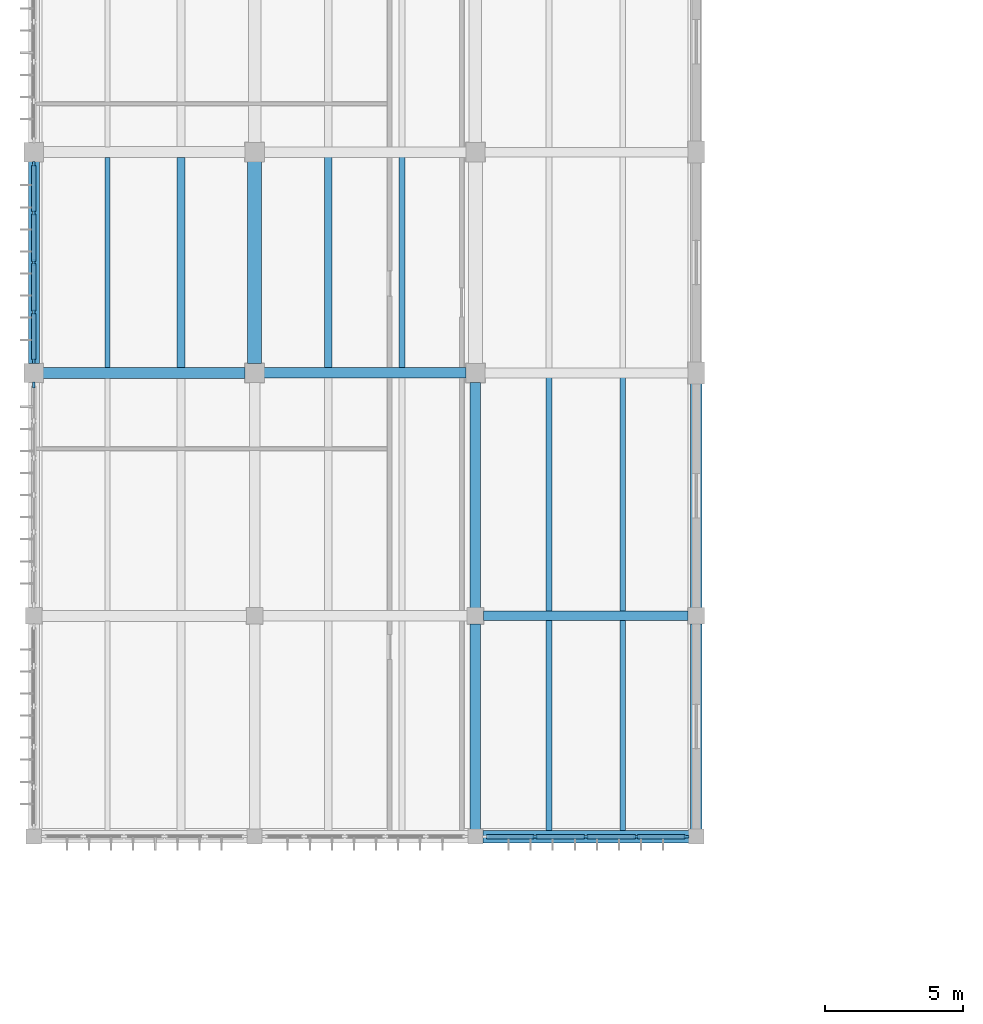
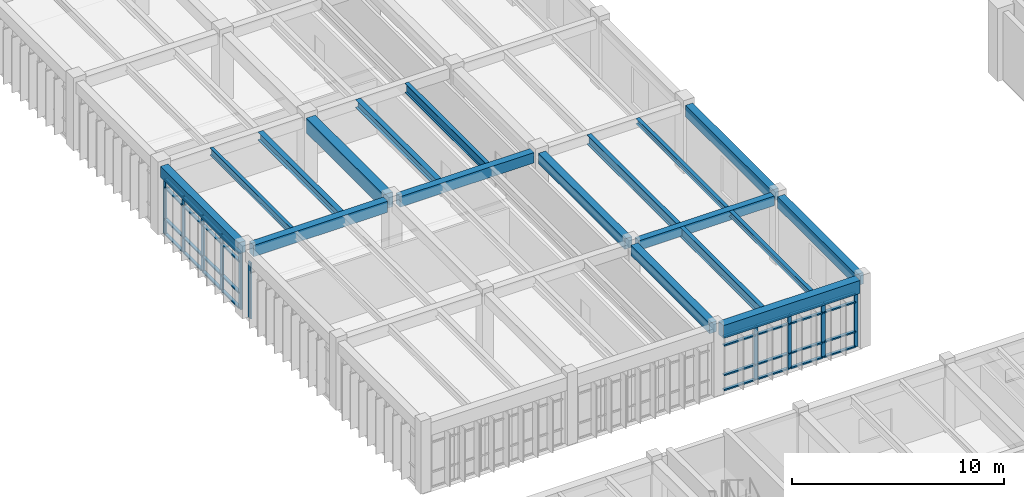
# One storey, part 9 of 67: 42 members, 18 beams, 3 elements without a shape of their own.
"""IFC4 building model written with IfcOpenShell, lengths in metres."""

from ifc_helpers import new_model, si_unit, direction, frame, origin, origin_2d, place, context, subcontext, project, spatial, rectangle, i_section, extrude, material, material_profile, profile_set, type_object, element, aggregate, save


model = new_model("IFC4")

# Units and contexts
model_context = context("Model", 3, precision=1e-05, world=origin(), true_north=direction((0.0, 1.0)))
body_context = subcontext(model_context, "Body", "Model", "MODEL_VIEW")
ifc_project = project(units=[si_unit("LENGTHUNIT", "METRE"), si_unit("AREAUNIT", "SQUARE_METRE"), si_unit("VOLUMEUNIT", "CUBIC_METRE"), si_unit("PLANEANGLEUNIT", "RADIAN"), si_unit("MASSUNIT", "GRAM", prefix="KILO")], contexts=[model_context])

# Site, building, storey
site_placement = place(None, origin())
site = spatial("IfcSite", under=ifc_project, at=site_placement, CompositionType="ELEMENT")
building_placement = place(site_placement, origin())
building = spatial("IfcBuilding", under=site, at=building_placement, Name="Tlaxcora Railside Police Headquarters", CompositionType="ELEMENT")
storey_placement = place(building_placement, frame((0.0, 0.0, 4.800048828125)))
storey = spatial("IfcBuildingStorey", under=building, at=storey_placement, Name="L01", CompositionType="ELEMENT", Elevation=4.800048828125)

# Curtain wall, member
ifc_material_1 = material(Name="Thermally broken low-E insulated glazing", Category="glass")
curtain_wall_type_1 = type_object("IfcCurtainWallType", Name="Unitised Curtain Wall Assembly CW-23", PredefinedType="NOTDEFINED", material=ifc_material_1)
curtain_wall_1_placement = place(storey_placement, origin())
curtain_wall_1 = element("IfcCurtainWall", 1, at=curtain_wall_1_placement, inside=storey, type_object=curtain_wall_type_1, Name="V5 L01 curtain wall 48", PredefinedType="NOTDEFINED")
ifc_material_2 = material(Name="Anodised aluminium framing", Category="aluminium")
ifc_material_profile_1 = material_profile(ifc_material_2, rectangle(XDim=0.080078125, YDim=0.219970703125, at=origin_2d()), Name="AL80X220")
ifc_profile_set_1 = profile_set([ifc_material_profile_1], Name="Anodised aluminium framing")
member_type_1 = type_object("IfcMemberType", Name="Curtain Wall Mullion CW-31", PredefinedType="MULLION", material=ifc_profile_set_1)
member_1_placement = place(storey_placement, frame((5.199951171875, 60.360107421875, 0.0), z_axis=(0.0, 0.0, 1.0), x_axis=(1.0, 0.0, 0.0)))
member_1 = element("IfcMember", 2, at=member_1_placement, type_object=member_type_1, Name="CW mullion 1", PredefinedType="MULLION", context=body_context, shape_type="SweptSolid", body=[
    extrude(rectangle(XDim=0.080078125, YDim=0.219970703125, at=origin_2d()), origin(), (0.0, 0.0, 1.0), 3.239990234375),
])
aggregate(curtain_wall_1, [member_1])

# Curtain wall, members
curtain_wall_type_2 = type_object("IfcCurtainWallType", Name="Unitised Curtain Wall Assembly CW-83", PredefinedType="NOTDEFINED", material=ifc_material_1)
curtain_wall_2_placement = place(storey_placement, origin())
curtain_wall_2 = element("IfcCurtainWall", 3, at=curtain_wall_2_placement, inside=storey, type_object=curtain_wall_type_2, Name="V5 L01 curtain wall 31", PredefinedType="NOTDEFINED")
ifc_material_profile_2 = material_profile(ifc_material_2, rectangle(XDim=0.080078125, YDim=0.2099609375, at=origin_2d()), Name="AL80X210")
ifc_profile_set_2 = profile_set([ifc_material_profile_2], Name="Anodised aluminium framing")
member_type_2 = type_object("IfcMemberType", Name="Curtain Wall Mullion CW-76", PredefinedType="MULLION", material=ifc_profile_set_2)
member_2_placement = place(storey_placement, frame((23.362548828125, 44.0, 0.0), z_axis=(0.0, 0.0, 1.0), x_axis=(0.0, 1.0, 0.0)))
member_2 = element("IfcMember", 4, at=member_2_placement, type_object=member_type_2, Name="CW mullion 2", PredefinedType="MULLION", context=body_context, shape_type="SweptSolid", body=[
    extrude(rectangle(XDim=0.080078125, YDim=0.2099609375, at=origin_2d()), origin(), (0.0, 0.0, 1.0), 3.139892578125),
])
member_3_placement = place(storey_placement, frame((25.199951171875, 44.0, 0.0), z_axis=(0.0, 0.0, 1.0), x_axis=(0.0, 1.0, 0.0)))
member_3 = element("IfcMember", 5, at=member_3_placement, type_object=member_type_2, Name="CW mullion 3", PredefinedType="MULLION", context=body_context, shape_type="SweptSolid", body=[
    extrude(rectangle(XDim=0.080078125, YDim=0.2099609375, at=origin_2d()), origin(), (0.0, 0.0, 1.0), 3.139892578125),
])
member_4_placement = place(storey_placement, frame((27.03759765625, 44.0, 0.0), z_axis=(0.0, 0.0, 1.0), x_axis=(0.0, 1.0, 0.0)))
member_4 = element("IfcMember", 6, at=member_4_placement, type_object=member_type_2, Name="CW mullion 4", PredefinedType="MULLION", context=body_context, shape_type="SweptSolid", body=[
    extrude(rectangle(XDim=0.080078125, YDim=0.2099609375, at=origin_2d()), origin(), (0.0, 0.0, 1.0), 3.139892578125),
])
member_5_placement = place(storey_placement, frame((28.8349609375, 44.0, 0.0), z_axis=(0.0, 0.0, 1.0), x_axis=(0.0, 1.0, 0.0)))
member_5 = element("IfcMember", 7, at=member_5_placement, type_object=member_type_2, Name="CW mullion 5", PredefinedType="MULLION", context=body_context, shape_type="SweptSolid", body=[
    extrude(rectangle(XDim=0.080078125, YDim=0.2099609375, at=origin_2d()), origin(), (0.0, 0.0, 1.0), 3.139892578125),
])

curtain_wall_3_placement = place(storey_placement, origin())
curtain_wall_3 = element("IfcCurtainWall", 8, at=curtain_wall_3_placement, inside=storey, type_object=curtain_wall_type_2, Name="V5 L01 curtain wall 47", PredefinedType="NOTDEFINED")
member_6_placement = place(storey_placement, frame((5.199951171875, 68.360107421875, 0.0), z_axis=(0.0, 0.0, 1.0), x_axis=(1.0, 0.0, 0.0)))
member_6 = element("IfcMember", 9, at=member_6_placement, type_object=member_type_2, Name="CW mullion 1", PredefinedType="MULLION", context=body_context, shape_type="SweptSolid", body=[
    extrude(rectangle(XDim=0.080078125, YDim=0.2099609375, at=origin_2d()), origin(), (0.0, 0.0, 1.0), 3.239990234375),
])
member_7_placement = place(storey_placement, frame((5.199951171875, 66.60009765625, 0.0), z_axis=(0.0, 0.0, 1.0), x_axis=(1.0, 0.0, 0.0)))
member_7 = element("IfcMember", 10, at=member_7_placement, type_object=member_type_2, Name="CW mullion 2", PredefinedType="MULLION", context=body_context, shape_type="SweptSolid", body=[
    extrude(rectangle(XDim=0.080078125, YDim=0.2099609375, at=origin_2d()), origin(), (0.0, 0.0, 1.0), 3.239990234375),
])
member_8_placement = place(storey_placement, frame((5.199951171875, 64.800048828125, 0.0), z_axis=(0.0, 0.0, 1.0), x_axis=(1.0, 0.0, 0.0)))
member_8 = element("IfcMember", 11, at=member_8_placement, type_object=member_type_2, Name="CW mullion 3", PredefinedType="MULLION", context=body_context, shape_type="SweptSolid", body=[
    extrude(rectangle(XDim=0.080078125, YDim=0.2099609375, at=origin_2d()), origin(), (0.0, 0.0, 1.0), 3.239990234375),
])
member_9_placement = place(storey_placement, frame((5.199951171875, 63.0, 0.0), z_axis=(0.0, 0.0, 1.0), x_axis=(1.0, 0.0, 0.0)))
member_9 = element("IfcMember", 12, at=member_9_placement, type_object=member_type_2, Name="CW mullion 4", PredefinedType="MULLION", context=body_context, shape_type="SweptSolid", body=[
    extrude(rectangle(XDim=0.080078125, YDim=0.2099609375, at=origin_2d()), origin(), (0.0, 0.0, 1.0), 3.239990234375),
])
member_10_placement = place(storey_placement, frame((5.199951171875, 61.239990234375, 0.0), z_axis=(0.0, 0.0, 1.0), x_axis=(1.0, 0.0, 0.0)))
member_10 = element("IfcMember", 13, at=member_10_placement, type_object=member_type_2, Name="CW mullion 5", PredefinedType="MULLION", context=body_context, shape_type="SweptSolid", body=[
    extrude(rectangle(XDim=0.080078125, YDim=0.2099609375, at=origin_2d()), origin(), (0.0, 0.0, 1.0), 3.239990234375),
])

# Member
ifc_material_profile_3 = material_profile(ifc_material_2, rectangle(XDim=0.159912109375, YDim=0.080078125, at=origin_2d()), Name="AL80X160")
ifc_profile_set_3 = profile_set([ifc_material_profile_3], Name="Anodised aluminium framing")
member_type_3 = type_object("IfcMemberType", Name="Curtain Wall Transom CW-82", PredefinedType="USERDEFINED", material=ifc_profile_set_3)
member_11_placement = place(storey_placement, frame((21.60498046875, 44.0, 0.0400390625), z_axis=(1.0, 0.0, 0.0), x_axis=(0.0, 1.0, 0.0)))
member_11 = element("IfcMember", 14, at=member_11_placement, type_object=member_type_3, Name="CW transom 1.1", ObjectType="TRANSOM", PredefinedType="USERDEFINED", context=body_context, shape_type="SweptSolid", body=[
    extrude(rectangle(XDim=0.159912109375, YDim=0.080078125, at=origin_2d()), origin(), (0.0, 0.0, 1.0), 1.717529296875),
])

member_12_placement = place(storey_placement, frame((21.60498046875, 44.0, 0.89990234375), z_axis=(1.0, 0.0, 0.0), x_axis=(0.0, 1.0, 0.0)))
member_12 = element("IfcMember", 15, at=member_12_placement, type_object=member_type_3, Name="CW transom 1.2", ObjectType="TRANSOM", PredefinedType="USERDEFINED", context=body_context, shape_type="SweptSolid", body=[
    extrude(rectangle(XDim=0.159912109375, YDim=0.080078125, at=origin_2d()), origin(), (0.0, 0.0, 1.0), 1.717529296875),
])

member_13_placement = place(storey_placement, frame((21.60498046875, 44.0, 2.60986328125), z_axis=(1.0, 0.0, 0.0), x_axis=(0.0, 1.0, 0.0)))
member_13 = element("IfcMember", 16, at=member_13_placement, type_object=member_type_3, Name="CW transom 1.3", ObjectType="TRANSOM", PredefinedType="USERDEFINED", context=body_context, shape_type="SweptSolid", body=[
    extrude(rectangle(XDim=0.159912109375, YDim=0.080078125, at=origin_2d()), origin(), (0.0, 0.0, 1.0), 1.717529296875),
])

member_14_placement = place(storey_placement, frame((21.60498046875, 44.0, 3.099853515625), z_axis=(1.0, 0.0, 0.0), x_axis=(0.0, 1.0, 0.0)))
member_14 = element("IfcMember", 17, at=member_14_placement, type_object=member_type_3, Name="CW transom 1.4", ObjectType="TRANSOM", PredefinedType="USERDEFINED", context=body_context, shape_type="SweptSolid", body=[
    extrude(rectangle(XDim=0.159912109375, YDim=0.080078125, at=origin_2d()), origin(), (0.0, 0.0, 1.0), 1.717529296875),
])

member_15_placement = place(storey_placement, frame((23.402587890625, 44.0, 0.0400390625), z_axis=(1.0, 0.0, 0.0), x_axis=(0.0, 1.0, 0.0)))
member_15 = element("IfcMember", 18, at=member_15_placement, type_object=member_type_3, Name="CW transom 2.1", ObjectType="TRANSOM", PredefinedType="USERDEFINED", context=body_context, shape_type="SweptSolid", body=[
    extrude(rectangle(XDim=0.159912109375, YDim=0.080078125, at=origin_2d()), origin(), (0.0, 0.0, 1.0), 1.75732421875),
])

member_16_placement = place(storey_placement, frame((23.402587890625, 44.0, 0.89990234375), z_axis=(1.0, 0.0, 0.0), x_axis=(0.0, 1.0, 0.0)))
member_16 = element("IfcMember", 19, at=member_16_placement, type_object=member_type_3, Name="CW transom 2.2", ObjectType="TRANSOM", PredefinedType="USERDEFINED", context=body_context, shape_type="SweptSolid", body=[
    extrude(rectangle(XDim=0.159912109375, YDim=0.080078125, at=origin_2d()), origin(), (0.0, 0.0, 1.0), 1.75732421875),
])

member_17_placement = place(storey_placement, frame((23.402587890625, 44.0, 2.60986328125), z_axis=(1.0, 0.0, 0.0), x_axis=(0.0, 1.0, 0.0)))
member_17 = element("IfcMember", 20, at=member_17_placement, type_object=member_type_3, Name="CW transom 2.3", ObjectType="TRANSOM", PredefinedType="USERDEFINED", context=body_context, shape_type="SweptSolid", body=[
    extrude(rectangle(XDim=0.159912109375, YDim=0.080078125, at=origin_2d()), origin(), (0.0, 0.0, 1.0), 1.75732421875),
])

member_18_placement = place(storey_placement, frame((23.402587890625, 44.0, 3.099853515625), z_axis=(1.0, 0.0, 0.0), x_axis=(0.0, 1.0, 0.0)))
member_18 = element("IfcMember", 21, at=member_18_placement, type_object=member_type_3, Name="CW transom 2.4", ObjectType="TRANSOM", PredefinedType="USERDEFINED", context=body_context, shape_type="SweptSolid", body=[
    extrude(rectangle(XDim=0.159912109375, YDim=0.080078125, at=origin_2d()), origin(), (0.0, 0.0, 1.0), 1.75732421875),
])

member_19_placement = place(storey_placement, frame((25.239990234375, 44.0, 0.0400390625), z_axis=(1.0, 0.0, 0.0), x_axis=(0.0, 1.0, 0.0)))
member_19 = element("IfcMember", 22, at=member_19_placement, type_object=member_type_3, Name="CW transom 3.1", ObjectType="TRANSOM", PredefinedType="USERDEFINED", context=body_context, shape_type="SweptSolid", body=[
    extrude(rectangle(XDim=0.159912109375, YDim=0.080078125, at=origin_2d()), origin(), (0.0, 0.0, 1.0), 1.757568359375),
])

member_20_placement = place(storey_placement, frame((25.239990234375, 44.0, 0.89990234375), z_axis=(1.0, 0.0, 0.0), x_axis=(0.0, 1.0, 0.0)))
member_20 = element("IfcMember", 23, at=member_20_placement, type_object=member_type_3, Name="CW transom 3.2", ObjectType="TRANSOM", PredefinedType="USERDEFINED", context=body_context, shape_type="SweptSolid", body=[
    extrude(rectangle(XDim=0.159912109375, YDim=0.080078125, at=origin_2d()), origin(), (0.0, 0.0, 1.0), 1.757568359375),
])

member_21_placement = place(storey_placement, frame((25.239990234375, 44.0, 2.60986328125), z_axis=(1.0, 0.0, 0.0), x_axis=(0.0, 1.0, 0.0)))
member_21 = element("IfcMember", 24, at=member_21_placement, type_object=member_type_3, Name="CW transom 3.3", ObjectType="TRANSOM", PredefinedType="USERDEFINED", context=body_context, shape_type="SweptSolid", body=[
    extrude(rectangle(XDim=0.159912109375, YDim=0.080078125, at=origin_2d()), origin(), (0.0, 0.0, 1.0), 1.757568359375),
])

member_22_placement = place(storey_placement, frame((25.239990234375, 44.0, 3.099853515625), z_axis=(1.0, 0.0, 0.0), x_axis=(0.0, 1.0, 0.0)))
member_22 = element("IfcMember", 25, at=member_22_placement, type_object=member_type_3, Name="CW transom 3.4", ObjectType="TRANSOM", PredefinedType="USERDEFINED", context=body_context, shape_type="SweptSolid", body=[
    extrude(rectangle(XDim=0.159912109375, YDim=0.080078125, at=origin_2d()), origin(), (0.0, 0.0, 1.0), 1.757568359375),
])

member_23_placement = place(storey_placement, frame((27.077392578125, 44.0, 0.0400390625), z_axis=(1.0, 0.0, 0.0), x_axis=(0.0, 1.0, 0.0)))
member_23 = element("IfcMember", 26, at=member_23_placement, type_object=member_type_3, Name="CW transom 4.1", ObjectType="TRANSOM", PredefinedType="USERDEFINED", context=body_context, shape_type="SweptSolid", body=[
    extrude(rectangle(XDim=0.159912109375, YDim=0.080078125, at=origin_2d()), origin(), (0.0, 0.0, 1.0), 1.717529296875),
])

member_24_placement = place(storey_placement, frame((27.077392578125, 44.0, 0.89990234375), z_axis=(1.0, 0.0, 0.0), x_axis=(0.0, 1.0, 0.0)))
member_24 = element("IfcMember", 27, at=member_24_placement, type_object=member_type_3, Name="CW transom 4.2", ObjectType="TRANSOM", PredefinedType="USERDEFINED", context=body_context, shape_type="SweptSolid", body=[
    extrude(rectangle(XDim=0.159912109375, YDim=0.080078125, at=origin_2d()), origin(), (0.0, 0.0, 1.0), 1.717529296875),
])

member_25_placement = place(storey_placement, frame((27.077392578125, 44.0, 2.60986328125), z_axis=(1.0, 0.0, 0.0), x_axis=(0.0, 1.0, 0.0)))
member_25 = element("IfcMember", 28, at=member_25_placement, type_object=member_type_3, Name="CW transom 4.3", ObjectType="TRANSOM", PredefinedType="USERDEFINED", context=body_context, shape_type="SweptSolid", body=[
    extrude(rectangle(XDim=0.159912109375, YDim=0.080078125, at=origin_2d()), origin(), (0.0, 0.0, 1.0), 1.717529296875),
])

member_26_placement = place(storey_placement, frame((27.077392578125, 44.0, 3.099853515625), z_axis=(1.0, 0.0, 0.0), x_axis=(0.0, 1.0, 0.0)))
member_26 = element("IfcMember", 29, at=member_26_placement, type_object=member_type_3, Name="CW transom 4.4", ObjectType="TRANSOM", PredefinedType="USERDEFINED", context=body_context, shape_type="SweptSolid", body=[
    extrude(rectangle(XDim=0.159912109375, YDim=0.080078125, at=origin_2d()), origin(), (0.0, 0.0, 1.0), 1.717529296875),
])

aggregate(curtain_wall_2, [member_2, member_3, member_4, member_5, member_11, member_12, member_13, member_14, member_15, member_16, member_17, member_18, member_19, member_20, member_21, member_22, member_23, member_24, member_25, member_26])

member_27_placement = place(storey_placement, frame((5.199951171875, 68.320068359375, 0.0400390625), z_axis=(0.0, -1.0, 0.0), x_axis=(1.0, 0.0, 0.0)))
member_27 = element("IfcMember", 30, at=member_27_placement, type_object=member_type_3, Name="CW transom 1.1", ObjectType="TRANSOM", PredefinedType="USERDEFINED", context=body_context, shape_type="SweptSolid", body=[
    extrude(rectangle(XDim=0.159912109375, YDim=0.080078125, at=origin_2d()), origin(), (0.0, 0.0, 1.0), 1.68017578125),
])

member_28_placement = place(storey_placement, frame((5.199951171875, 68.320068359375, 0.89990234375), z_axis=(0.0, -1.0, 0.0), x_axis=(1.0, 0.0, 0.0)))
member_28 = element("IfcMember", 31, at=member_28_placement, type_object=member_type_3, Name="CW transom 1.2", ObjectType="TRANSOM", PredefinedType="USERDEFINED", context=body_context, shape_type="SweptSolid", body=[
    extrude(rectangle(XDim=0.159912109375, YDim=0.080078125, at=origin_2d()), origin(), (0.0, 0.0, 1.0), 1.68017578125),
])

member_29_placement = place(storey_placement, frame((5.199951171875, 68.320068359375, 2.7099609375), z_axis=(0.0, -1.0, 0.0), x_axis=(1.0, 0.0, 0.0)))
member_29 = element("IfcMember", 32, at=member_29_placement, type_object=member_type_3, Name="CW transom 1.3", ObjectType="TRANSOM", PredefinedType="USERDEFINED", context=body_context, shape_type="SweptSolid", body=[
    extrude(rectangle(XDim=0.159912109375, YDim=0.080078125, at=origin_2d()), origin(), (0.0, 0.0, 1.0), 1.68017578125),
])

member_30_placement = place(storey_placement, frame((5.199951171875, 68.320068359375, 3.199951171875), z_axis=(0.0, -1.0, 0.0), x_axis=(1.0, 0.0, 0.0)))
member_30 = element("IfcMember", 33, at=member_30_placement, type_object=member_type_3, Name="CW transom 1.4", ObjectType="TRANSOM", PredefinedType="USERDEFINED", context=body_context, shape_type="SweptSolid", body=[
    extrude(rectangle(XDim=0.159912109375, YDim=0.080078125, at=origin_2d()), origin(), (0.0, 0.0, 1.0), 1.68017578125),
])

member_31_placement = place(storey_placement, frame((5.199951171875, 66.56005859375, 0.0400390625), z_axis=(0.0, -1.0, 0.0), x_axis=(1.0, 0.0, 0.0)))
member_31 = element("IfcMember", 34, at=member_31_placement, type_object=member_type_3, Name="CW transom 2.1", ObjectType="TRANSOM", PredefinedType="USERDEFINED", context=body_context, shape_type="SweptSolid", body=[
    extrude(rectangle(XDim=0.159912109375, YDim=0.080078125, at=origin_2d()), origin(), (0.0, 0.0, 1.0), 1.719970703125),
])

member_32_placement = place(storey_placement, frame((5.199951171875, 66.56005859375, 0.89990234375), z_axis=(0.0, -1.0, 0.0), x_axis=(1.0, 0.0, 0.0)))
member_32 = element("IfcMember", 35, at=member_32_placement, type_object=member_type_3, Name="CW transom 2.2", ObjectType="TRANSOM", PredefinedType="USERDEFINED", context=body_context, shape_type="SweptSolid", body=[
    extrude(rectangle(XDim=0.159912109375, YDim=0.080078125, at=origin_2d()), origin(), (0.0, 0.0, 1.0), 1.719970703125),
])

member_33_placement = place(storey_placement, frame((5.199951171875, 66.56005859375, 2.7099609375), z_axis=(0.0, -1.0, 0.0), x_axis=(1.0, 0.0, 0.0)))
member_33 = element("IfcMember", 36, at=member_33_placement, type_object=member_type_3, Name="CW transom 2.3", ObjectType="TRANSOM", PredefinedType="USERDEFINED", context=body_context, shape_type="SweptSolid", body=[
    extrude(rectangle(XDim=0.159912109375, YDim=0.080078125, at=origin_2d()), origin(), (0.0, 0.0, 1.0), 1.719970703125),
])

member_34_placement = place(storey_placement, frame((5.199951171875, 66.56005859375, 3.199951171875), z_axis=(0.0, -1.0, 0.0), x_axis=(1.0, 0.0, 0.0)))
member_34 = element("IfcMember", 37, at=member_34_placement, type_object=member_type_3, Name="CW transom 2.4", ObjectType="TRANSOM", PredefinedType="USERDEFINED", context=body_context, shape_type="SweptSolid", body=[
    extrude(rectangle(XDim=0.159912109375, YDim=0.080078125, at=origin_2d()), origin(), (0.0, 0.0, 1.0), 1.719970703125),
])

member_35_placement = place(storey_placement, frame((5.199951171875, 64.760009765625, 0.0400390625), z_axis=(0.0, -1.0, 0.0), x_axis=(1.0, 0.0, 0.0)))
member_35 = element("IfcMember", 38, at=member_35_placement, type_object=member_type_3, Name="CW transom 3.1", ObjectType="TRANSOM", PredefinedType="USERDEFINED", context=body_context, shape_type="SweptSolid", body=[
    extrude(rectangle(XDim=0.159912109375, YDim=0.080078125, at=origin_2d()), origin(), (0.0, 0.0, 1.0), 1.719970703125),
])

member_36_placement = place(storey_placement, frame((5.199951171875, 64.760009765625, 0.89990234375), z_axis=(0.0, -1.0, 0.0), x_axis=(1.0, 0.0, 0.0)))
member_36 = element("IfcMember", 39, at=member_36_placement, type_object=member_type_3, Name="CW transom 3.2", ObjectType="TRANSOM", PredefinedType="USERDEFINED", context=body_context, shape_type="SweptSolid", body=[
    extrude(rectangle(XDim=0.159912109375, YDim=0.080078125, at=origin_2d()), origin(), (0.0, 0.0, 1.0), 1.719970703125),
])

member_37_placement = place(storey_placement, frame((5.199951171875, 64.760009765625, 2.7099609375), z_axis=(0.0, -1.0, 0.0), x_axis=(1.0, 0.0, 0.0)))
member_37 = element("IfcMember", 40, at=member_37_placement, type_object=member_type_3, Name="CW transom 3.3", ObjectType="TRANSOM", PredefinedType="USERDEFINED", context=body_context, shape_type="SweptSolid", body=[
    extrude(rectangle(XDim=0.159912109375, YDim=0.080078125, at=origin_2d()), origin(), (0.0, 0.0, 1.0), 1.719970703125),
])

member_38_placement = place(storey_placement, frame((5.199951171875, 64.760009765625, 3.199951171875), z_axis=(0.0, -1.0, 0.0), x_axis=(1.0, 0.0, 0.0)))
member_38 = element("IfcMember", 41, at=member_38_placement, type_object=member_type_3, Name="CW transom 3.4", ObjectType="TRANSOM", PredefinedType="USERDEFINED", context=body_context, shape_type="SweptSolid", body=[
    extrude(rectangle(XDim=0.159912109375, YDim=0.080078125, at=origin_2d()), origin(), (0.0, 0.0, 1.0), 1.719970703125),
])

member_39_placement = place(storey_placement, frame((5.199951171875, 62.9599609375, 0.0400390625), z_axis=(0.0, -1.0, 0.0), x_axis=(1.0, 0.0, 0.0)))
member_39 = element("IfcMember", 42, at=member_39_placement, type_object=member_type_3, Name="CW transom 4.1", ObjectType="TRANSOM", PredefinedType="USERDEFINED", context=body_context, shape_type="SweptSolid", body=[
    extrude(rectangle(XDim=0.159912109375, YDim=0.080078125, at=origin_2d()), origin(), (0.0, 0.0, 1.0), 1.679931640625),
])

member_40_placement = place(storey_placement, frame((5.199951171875, 62.9599609375, 0.89990234375), z_axis=(0.0, -1.0, 0.0), x_axis=(1.0, 0.0, 0.0)))
member_40 = element("IfcMember", 43, at=member_40_placement, type_object=member_type_3, Name="CW transom 4.2", ObjectType="TRANSOM", PredefinedType="USERDEFINED", context=body_context, shape_type="SweptSolid", body=[
    extrude(rectangle(XDim=0.159912109375, YDim=0.080078125, at=origin_2d()), origin(), (0.0, 0.0, 1.0), 1.679931640625),
])

member_41_placement = place(storey_placement, frame((5.199951171875, 62.9599609375, 2.7099609375), z_axis=(0.0, -1.0, 0.0), x_axis=(1.0, 0.0, 0.0)))
member_41 = element("IfcMember", 44, at=member_41_placement, type_object=member_type_3, Name="CW transom 4.3", ObjectType="TRANSOM", PredefinedType="USERDEFINED", context=body_context, shape_type="SweptSolid", body=[
    extrude(rectangle(XDim=0.159912109375, YDim=0.080078125, at=origin_2d()), origin(), (0.0, 0.0, 1.0), 1.679931640625),
])

member_42_placement = place(storey_placement, frame((5.199951171875, 62.9599609375, 3.199951171875), z_axis=(0.0, -1.0, 0.0), x_axis=(1.0, 0.0, 0.0)))
member_42 = element("IfcMember", 45, at=member_42_placement, type_object=member_type_3, Name="CW transom 4.4", ObjectType="TRANSOM", PredefinedType="USERDEFINED", context=body_context, shape_type="SweptSolid", body=[
    extrude(rectangle(XDim=0.159912109375, YDim=0.080078125, at=origin_2d()), origin(), (0.0, 0.0, 1.0), 1.679931640625),
])

aggregate(curtain_wall_3, [member_6, member_7, member_8, member_9, member_10, member_27, member_28, member_29, member_30, member_31, member_32, member_33, member_34, member_35, member_36, member_37, member_38, member_39, member_40, member_41, member_42])

# Beams
ifc_material_3 = material(Name="Concrete C40/50", Category="concrete")
ifc_material_profile_4 = material_profile(ifc_material_3, rectangle(XDim=0.39990234375, YDim=0.64990234375, at=origin_2d()), Name="RC400X650")
ifc_profile_set_4 = profile_set([ifc_material_profile_4], Name="Concrete C40/50")
beam_type_1 = type_object("IfcBeamType", Name="Perimeter Spandrel Beam BM-46", PredefinedType="SPANDREL", material=ifc_profile_set_4)
beam_1_placement = place(storey_placement, frame((5.199951171875, 61.139892578125, 3.5849609375), z_axis=(0.0, 1.0, 0.0), x_axis=(-1.0, 0.0, 0.0)))
element("IfcBeam", 46, at=beam_1_placement, inside=storey, type_object=beam_type_1, Name="V5 L01 Y-girder X=5.2", PredefinedType="SPANDREL", context=body_context, shape_type="SweptSolid", body=[
    extrude(rectangle(XDim=0.39990234375, YDim=0.64990234375, at=origin_2d()), origin(), (0.0, 0.0, 1.0), 7.320068359375),
])
beam_2_placement = place(storey_placement, frame((29.199951171875, 44.264892578125, 3.5849609375), z_axis=(0.0, 1.0, 0.0), x_axis=(-1.0, 0.0, 0.0)))
element("IfcBeam", 47, at=beam_2_placement, inside=storey, type_object=beam_type_1, Name="V5 L01 Y-girder X=29.2", PredefinedType="SPANDREL", context=body_context, shape_type="SweptSolid", body=[
    extrude(rectangle(XDim=0.39990234375, YDim=0.64990234375, at=origin_2d()), origin(), (0.0, 0.0, 1.0), 7.445068359375),
])
beam_3_placement = place(storey_placement, frame((29.199951171875, 52.2900390625, 3.5849609375), z_axis=(0.0, 1.0, 0.0), x_axis=(-1.0, 0.0, 0.0)))
element("IfcBeam", 48, at=beam_3_placement, inside=storey, type_object=beam_type_1, Name="V5 L01 Y-girder X=29.2", PredefinedType="SPANDREL", context=body_context, shape_type="SweptSolid", body=[
    extrude(rectangle(XDim=0.39990234375, YDim=0.64990234375, at=origin_2d()), origin(), (0.0, 0.0, 1.0), 8.119873046875),
])
ifc_material_profile_5 = material_profile(ifc_material_3, rectangle(XDim=0.449951171875, YDim=0.75, at=origin_2d()), Name="RC450X750")
ifc_profile_set_5 = profile_set([ifc_material_profile_5], Name="Concrete C40/50")
beam_type_2 = type_object("IfcBeamType", Name="Perimeter Spandrel Beam BM-86", PredefinedType="SPANDREL", material=ifc_profile_set_5)
beam_4_placement = place(storey_placement, frame((21.465087890625, 44.0, 3.534912109375), z_axis=(1.0, 0.0, 0.0), x_axis=(0.0, 1.0, 0.0)))
element("IfcBeam", 49, at=beam_4_placement, inside=storey, type_object=beam_type_2, Name="V5 L01 X-girder Y=44.0", PredefinedType="SPANDREL", context=body_context, shape_type="SweptSolid", body=[
    extrude(rectangle(XDim=0.449951171875, YDim=0.75, at=origin_2d()), origin(), (0.0, 0.0, 1.0), 7.469970703125),
])
ifc_material_profile_6 = material_profile(ifc_material_3, rectangle(XDim=0.3798828125, YDim=0.60009765625, at=origin_2d()), Name="RC380X600")
ifc_profile_set_6 = profile_set([ifc_material_profile_6], Name="Concrete C40/50")
beam_type_3 = type_object("IfcBeamType", Name="Primary Frame Girder BM-22", PredefinedType="BEAM", material=ifc_profile_set_6)
beam_5_placement = place(storey_placement, frame((13.5400390625, 60.800048828125, 3.60986328125), z_axis=(1.0, 0.0, 0.0), x_axis=(0.0, 1.0, 0.0)))
element("IfcBeam", 50, at=beam_5_placement, inside=storey, type_object=beam_type_3, Name="V5 L01 X-girder Y=60.8", PredefinedType="BEAM", context=body_context, shape_type="SweptSolid", body=[
    extrude(rectangle(XDim=0.3798828125, YDim=0.60009765625, at=origin_2d()), origin(), (0.0, 0.0, 1.0), 7.320068359375),
])
beam_6_placement = place(storey_placement, frame((21.199951171875, 44.264892578125, 3.60986328125), z_axis=(0.0, 1.0, 0.0), x_axis=(-1.0, 0.0, 0.0)))
element("IfcBeam", 51, at=beam_6_placement, inside=storey, type_object=beam_type_3, Name="V5 L01 Y-girder X=21.2", PredefinedType="BEAM", context=body_context, shape_type="SweptSolid", body=[
    extrude(rectangle(XDim=0.3798828125, YDim=0.60009765625, at=origin_2d()), origin(), (0.0, 0.0, 1.0), 7.445068359375),
])
beam_7_placement = place(storey_placement, frame((21.199951171875, 52.2900390625, 3.60986328125), z_axis=(0.0, 1.0, 0.0), x_axis=(-1.0, 0.0, 0.0)))
element("IfcBeam", 52, at=beam_7_placement, inside=storey, type_object=beam_type_3, Name="V5 L01 Y-girder X=21.2", PredefinedType="BEAM", context=body_context, shape_type="SweptSolid", body=[
    extrude(rectangle(XDim=0.3798828125, YDim=0.60009765625, at=origin_2d()), origin(), (0.0, 0.0, 1.0), 8.169921875),
])
ifc_material_profile_7 = material_profile(ifc_material_3, rectangle(XDim=0.35009765625, YDim=0.550048828125, at=origin_2d()), Name="RC350X550")
ifc_profile_set_7 = profile_set([ifc_material_profile_7], Name="Concrete C40/50")
beam_type_4 = type_object("IfcBeamType", Name="Primary Frame Girder BM-39", PredefinedType="BEAM", material=ifc_profile_set_7)
beam_8_placement = place(storey_placement, frame((21.489990234375, 52.0, 3.635009765625), z_axis=(1.0, 0.0, 0.0), x_axis=(0.0, 1.0, 0.0)))
element("IfcBeam", 53, at=beam_8_placement, inside=storey, type_object=beam_type_4, Name="V5 L01 X-girder Y=52.0", PredefinedType="BEAM", context=body_context, shape_type="SweptSolid", body=[
    extrude(rectangle(XDim=0.35009765625, YDim=0.550048828125, at=origin_2d()), origin(), (0.0, 0.0, 1.0), 7.419921875),
])
ifc_material_profile_8 = material_profile(ifc_material_3, rectangle(XDim=0.39990234375, YDim=0.64990234375, at=origin_2d()), Name="RC400X650")
ifc_profile_set_8 = profile_set([ifc_material_profile_8], Name="Concrete C40/50")
beam_type_5 = type_object("IfcBeamType", Name="Primary Frame Girder BM-41", PredefinedType="BEAM", material=ifc_profile_set_8)
beam_9_placement = place(storey_placement, frame((5.5400390625, 60.800048828125, 3.5849609375), z_axis=(1.0, 0.0, 0.0), x_axis=(0.0, 1.0, 0.0)))
element("IfcBeam", 54, at=beam_9_placement, inside=storey, type_object=beam_type_5, Name="V5 L01 X-girder Y=60.8", PredefinedType="BEAM", context=body_context, shape_type="SweptSolid", body=[
    extrude(rectangle(XDim=0.39990234375, YDim=0.64990234375, at=origin_2d()), origin(), (0.0, 0.0, 1.0), 7.320068359375),
])
ifc_material_profile_9 = material_profile(ifc_material_3, rectangle(XDim=0.5, YDim=0.85009765625, at=origin_2d()), Name="RC500X850")
ifc_profile_set_9 = profile_set([ifc_material_profile_9], Name="Concrete C40/50")
beam_type_6 = type_object("IfcBeamType", Name="Primary Frame Girder BM-64", PredefinedType="BEAM", material=ifc_profile_set_9)
beam_10_placement = place(storey_placement, frame((13.199951171875, 61.139892578125, 3.48486328125), z_axis=(0.0, 1.0, 0.0), x_axis=(-1.0, 0.0, 0.0)))
element("IfcBeam", 55, at=beam_10_placement, inside=storey, type_object=beam_type_6, Name="V5 L01 Y-girder X=13.2", PredefinedType="BEAM", context=body_context, shape_type="SweptSolid", body=[
    extrude(rectangle(XDim=0.5, YDim=0.85009765625, at=origin_2d()), origin(), (0.0, 0.0, 1.0), 7.320068359375),
])
ifc_material_4 = material(Name="Steel ASTM A992 Grade 50", Category="steel")
ifc_material_profile_10 = material_profile(ifc_material_4, i_section(OverallWidth=0.280029296875, OverallDepth=0.4619140625, WebThickness=0.0107421875, FlangeThickness=0.017333984375, at=origin_2d()), Name="W18X76")
ifc_profile_set_10 = profile_set([ifc_material_profile_10], Name="Steel ASTM A992 Grade 50")
beam_type_7 = type_object("IfcBeamType", Name="Secondary Floor Joist BM-44", PredefinedType="JOIST", material=ifc_profile_set_10)
beam_11_placement = place(storey_placement, frame((10.533203125, 60.991943359375, 3.678955078125), z_axis=(0.0, 1.0, 0.0), x_axis=(-1.0, 0.0, 0.0)))
element("IfcBeam", 56, at=beam_11_placement, inside=storey, type_object=beam_type_7, Name="V5 L01 floor joist X=10.53", PredefinedType="JOIST", context=body_context, shape_type="SweptSolid", body=[
    extrude(i_section(OverallWidth=0.280029296875, OverallDepth=0.4619140625, WebThickness=0.0107421875, FlangeThickness=0.017333984375, at=origin_2d()), origin(), (0.0, 0.0, 1.0), 7.615966796875),
])
beam_12_placement = place(storey_placement, frame((15.86669921875, 60.98193359375, 3.678955078125), z_axis=(0.0, 1.0, 0.0), x_axis=(-1.0, 0.0, 0.0)))
element("IfcBeam", 57, at=beam_12_placement, inside=storey, type_object=beam_type_7, Name="V5 L01 floor joist X=15.87", PredefinedType="JOIST", context=body_context, shape_type="SweptSolid", body=[
    extrude(i_section(OverallWidth=0.280029296875, OverallDepth=0.4619140625, WebThickness=0.0107421875, FlangeThickness=0.017333984375, at=origin_2d()), origin(), (0.0, 0.0, 1.0), 7.635986328125),
])
ifc_material_profile_11 = material_profile(ifc_material_4, i_section(OverallWidth=0.180908203125, OverallDepth=0.4169921875, WebThickness=0.010009765625, FlangeThickness=0.018310546875, at=origin_2d()), Name="W16X57")
ifc_profile_set_11 = profile_set([ifc_material_profile_11], Name="Steel ASTM A992 Grade 50")
beam_type_8 = type_object("IfcBeamType", Name="Secondary Floor Joist BM-84", PredefinedType="JOIST", material=ifc_profile_set_11)
beam_13_placement = place(storey_placement, frame((7.86669921875, 60.991943359375, 3.701416015625), z_axis=(0.0, 1.0, 0.0), x_axis=(-1.0, 0.0, 0.0)))
element("IfcBeam", 58, at=beam_13_placement, inside=storey, type_object=beam_type_8, Name="V5 L01 floor joist X=7.87", PredefinedType="JOIST", context=body_context, shape_type="SweptSolid", body=[
    extrude(i_section(OverallWidth=0.180908203125, OverallDepth=0.4169921875, WebThickness=0.010009765625, FlangeThickness=0.018310546875, at=origin_2d()), origin(), (0.0, 0.0, 1.0), 7.615966796875),
])
ifc_material_profile_12 = material_profile(ifc_material_4, i_section(OverallWidth=0.202880859375, OverallDepth=0.302978515625, WebThickness=0.007568359375, FlangeThickness=0.01318359375, at=origin_2d()), Name="W12X40")
ifc_profile_set_12 = profile_set([ifc_material_profile_12], Name="Steel ASTM A992 Grade 50")
beam_type_9 = type_object("IfcBeamType", Name="Secondary Floor Joist BM-96", PredefinedType="JOIST", material=ifc_profile_set_12)
beam_14_placement = place(storey_placement, frame((26.533203125, 44.217041015625, 3.758544921875), z_axis=(0.0, 1.0, 0.0), x_axis=(-1.0, 0.0, 0.0)))
element("IfcBeam", 59, at=beam_14_placement, inside=storey, type_object=beam_type_9, Name="V5 L01 floor joist X=26.53", PredefinedType="JOIST", context=body_context, shape_type="SweptSolid", body=[
    extrude(i_section(OverallWidth=0.202880859375, OverallDepth=0.302978515625, WebThickness=0.007568359375, FlangeThickness=0.01318359375, at=origin_2d()), origin(), (0.0, 0.0, 1.0), 7.615966796875),
])
beam_15_placement = place(storey_placement, frame((26.533203125, 52.1669921875, 3.758544921875), z_axis=(0.0, 1.0, 0.0), x_axis=(-1.0, 0.0, 0.0)))
element("IfcBeam", 60, at=beam_15_placement, inside=storey, type_object=beam_type_9, Name="V5 L01 floor joist X=26.53", PredefinedType="JOIST", context=body_context, shape_type="SweptSolid", body=[
    extrude(i_section(OverallWidth=0.202880859375, OverallDepth=0.302978515625, WebThickness=0.007568359375, FlangeThickness=0.01318359375, at=origin_2d()), origin(), (0.0, 0.0, 1.0), 8.466064453125),
])
ifc_material_profile_13 = material_profile(ifc_material_4, i_section(OverallWidth=0.214111328125, OverallDepth=0.549072265625, WebThickness=0.0146484375, FlangeThickness=0.023681640625, at=origin_2d()), Name="W21X93")
ifc_profile_set_13 = profile_set([ifc_material_profile_13], Name="Steel ASTM A992 Grade 50")
beam_type_10 = type_object("IfcBeamType", Name="Secondary Floor Joist BM-97", PredefinedType="JOIST", material=ifc_profile_set_13)
beam_16_placement = place(storey_placement, frame((23.86669921875, 44.217041015625, 3.635498046875), z_axis=(0.0, 1.0, 0.0), x_axis=(-1.0, 0.0, 0.0)))
element("IfcBeam", 61, at=beam_16_placement, inside=storey, type_object=beam_type_10, Name="V5 L01 floor joist X=23.87", PredefinedType="JOIST", context=body_context, shape_type="SweptSolid", body=[
    extrude(i_section(OverallWidth=0.214111328125, OverallDepth=0.549072265625, WebThickness=0.0146484375, FlangeThickness=0.023681640625, at=origin_2d()), origin(), (0.0, 0.0, 1.0), 7.615966796875),
])
beam_17_placement = place(storey_placement, frame((23.86669921875, 52.1669921875, 3.635498046875), z_axis=(0.0, 1.0, 0.0), x_axis=(-1.0, 0.0, 0.0)))
element("IfcBeam", 62, at=beam_17_placement, inside=storey, type_object=beam_type_10, Name="V5 L01 floor joist X=23.87", PredefinedType="JOIST", context=body_context, shape_type="SweptSolid", body=[
    extrude(i_section(OverallWidth=0.214111328125, OverallDepth=0.549072265625, WebThickness=0.0146484375, FlangeThickness=0.023681640625, at=origin_2d()), origin(), (0.0, 0.0, 1.0), 8.466064453125),
])
beam_18_placement = place(storey_placement, frame((18.533203125, 60.98193359375, 3.635498046875), z_axis=(0.0, 1.0, 0.0), x_axis=(-1.0, 0.0, 0.0)))
element("IfcBeam", 63, at=beam_18_placement, inside=storey, type_object=beam_type_10, Name="V5 L01 floor joist X=18.53", PredefinedType="JOIST", context=body_context, shape_type="SweptSolid", body=[
    extrude(i_section(OverallWidth=0.214111328125, OverallDepth=0.549072265625, WebThickness=0.0146484375, FlangeThickness=0.023681640625, at=origin_2d()), origin(), (0.0, 0.0, 1.0), 7.635986328125),
])

save(model, "model.ifc")
